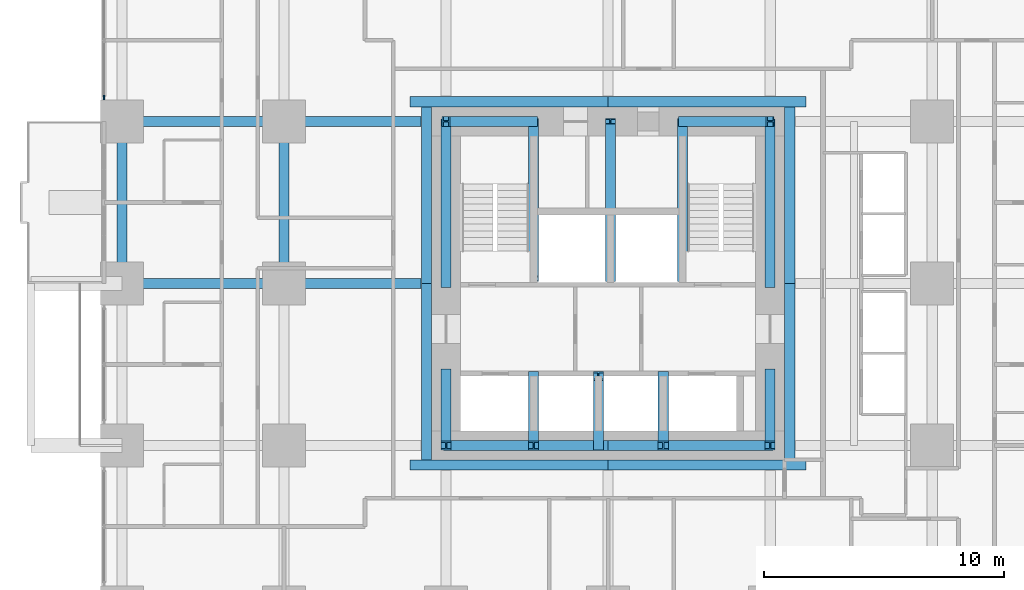
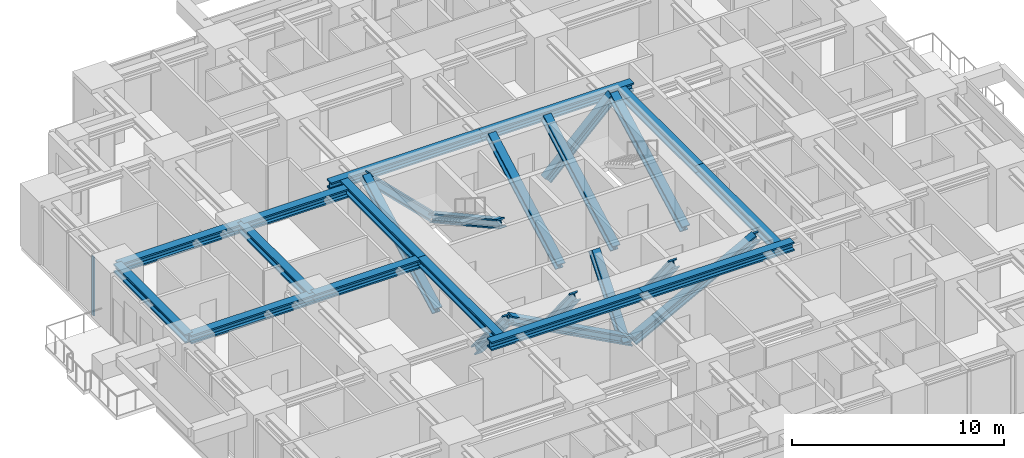
# One storey, part 3 of 14: 15 members, 14 beams, 1 element without a shape of its own.
"""IFC4 building model written with IfcOpenShell, lengths in metres."""

from ifc_helpers import new_model, si_unit, direction, frame, origin, origin_2d, place, context, subcontext, project, spatial, rectangle, i_section, extrude, material, material_profile, profile_set, type_object, element, aggregate, save


model = new_model("IFC4")

# Units and contexts
model_context = context("Model", 3, precision=1e-05, world=origin(), true_north=direction((0.0, 1.0)))
body_context = subcontext(model_context, "Body", "Model", "MODEL_VIEW")
ifc_project = project(units=[si_unit("LENGTHUNIT", "METRE"), si_unit("AREAUNIT", "SQUARE_METRE"), si_unit("VOLUMEUNIT", "CUBIC_METRE"), si_unit("PLANEANGLEUNIT", "RADIAN"), si_unit("MASSUNIT", "GRAM", prefix="KILO")], contexts=[model_context])

# Site, building, storey
site_placement = place(None, origin())
site = spatial("IfcSite", under=ifc_project, at=site_placement, CompositionType="ELEMENT")
building_placement = place(site_placement, origin())
building = spatial("IfcBuilding", under=site, at=building_placement, Name="Nyansa Garden Tower", CompositionType="ELEMENT")
storey_placement = place(building_placement, frame((0.0, 0.0, 64.800048828125)))
storey = spatial("IfcBuildingStorey", under=building, at=storey_placement, Name="L17", CompositionType="ELEMENT", Elevation=64.800048828125)

# Curtain wall, member
ifc_material_1 = material(Name="Black anodised aluminium, dark tinted double glazing", Category="aluminium")
curtain_wall_type = type_object("IfcCurtainWallType", Name="Inner skin curtain wall ISW-A", PredefinedType="USERDEFINED", material=ifc_material_1)
curtain_wall_placement = place(storey_placement, origin())
curtain_wall = element("IfcCurtainWall", 1, at=curtain_wall_placement, inside=storey, type_object=curtain_wall_type, Name="Inner skin curtain wall L17 W", ObjectType="UNITISED CURTAIN WALL", PredefinedType="USERDEFINED")
ifc_material_2 = material(Name="Black anodised aluminium", Category="aluminium")
ifc_material_profile_1 = material_profile(ifc_material_2, rectangle(XDim=0.06494140625, YDim=0.199951171875, at=origin_2d()), Name="Mullion 200x65")
ifc_profile_set_1 = profile_set([ifc_material_profile_1], Name="Black anodised aluminium")
member_type_1 = type_object("IfcMemberType", Name="Mullion ISW-A 200x65", PredefinedType="MULLION", material=ifc_profile_set_1)
member_1_placement = place(storey_placement, frame((-0.75, 28.0, 0.0), z_axis=(0.0, 0.0, 1.0), x_axis=(1.0, 0.0, 0.0)))
member_1 = element("IfcMember", 2, at=member_1_placement, type_object=member_type_1, Name="ISW-A mullion 3", PredefinedType="MULLION", context=body_context, shape_type="SweptSolid", body=[
    extrude(rectangle(XDim=0.06494140625, YDim=0.199951171875, at=origin_2d()), origin(), (0.0, 0.0, 1.0), 3.375),
])
aggregate(curtain_wall, [member_1])

# Members
ifc_material_3 = material(Name="Steel S355", Category="steel")
ifc_material_profile_2 = material_profile(ifc_material_3, i_section(OverallWidth=0.424072265625, OverallDepth=0.47412109375, WebThickness=0.047607421875, FlangeThickness=0.076904296875, FilletRadius=0.014892578125, at=origin_2d()), Name="HD 400x634")
ifc_profile_set_2 = profile_set([ifc_material_profile_2], Name="Steel S355")
member_type_2 = type_object("IfcMemberType", Name="Perimeter brace HD 400x634", PredefinedType="BRACE", material=ifc_profile_set_2)
for number, where, z_axis, x_axis, name in (
    (3, (20.25, 13.5, 0.0), (-0.882360891967, 0.0, 0.470573327259), (0.0, -1.0, 0.0), "Core brace CS1 L17"),
    (4, (20.25, 13.5, 0.0), (0.882360891967, 0.0, 0.470573327259), (0.0, 1.0, 0.0), "Core brace CS2 L17"),
):
    element("IfcMember", number, at=place(storey_placement, frame(where, z_axis=z_axis, x_axis=x_axis)), inside=storey, type_object=member_type_2, Name=name, PredefinedType="BRACE", context=body_context, shape_type="SweptSolid", body=[
        extrude(i_section(OverallWidth=0.424072265625, OverallDepth=0.47412109375, WebThickness=0.047607421875, FlangeThickness=0.076904296875, FilletRadius=0.014892578125, at=origin_2d()), origin(), (0.0, 0.0, 1.0), 7.64990234375),
    ])
for number, where, z_axis, x_axis, name in (
    (5, (17.14990234375, 27.0, 0.0), (-0.711971340796, 0.0, 0.702208523079), (0.0, -1.0, 0.0), "Core brace CN3 L17"),
    (6, (23.35009765625, 27.0, 0.0), (0.711971340796, 0.0, 0.702208523079), (0.0, 1.0, 0.0), "Core brace CN4 L17"),
):
    element("IfcMember", number, at=place(storey_placement, frame(where, z_axis=z_axis, x_axis=x_axis)), inside=storey, type_object=member_type_2, Name=name, PredefinedType="BRACE", context=body_context, shape_type="SweptSolid", body=[
        extrude(i_section(OverallWidth=0.424072265625, OverallDepth=0.47412109375, WebThickness=0.047607421875, FlangeThickness=0.076904296875, FilletRadius=0.014892578125, at=origin_2d()), origin(), (0.0, 0.0, 1.0), 5.12646484375),
    ])
member_2_placement = place(storey_placement, frame((13.5, 16.5, 0.0), z_axis=(0.0, -0.640199773186, 0.768208468069), x_axis=(1.0, 0.0, 0.0)))
element("IfcMember", 7, at=member_2_placement, inside=storey, type_object=member_type_2, Name="Core brace CW5 L17", PredefinedType="BRACE", context=body_context, shape_type="SweptSolid", body=[
    extrude(i_section(OverallWidth=0.424072265625, OverallDepth=0.47412109375, WebThickness=0.047607421875, FlangeThickness=0.076904296875, FilletRadius=0.014892578125, at=origin_2d()), origin(), (0.0, 0.0, 1.0), 4.68603515625),
])
member_3_placement = place(storey_placement, frame((13.5, 20.199951171875, 0.0), z_axis=(0.0, 0.883797178129, 0.467870225524), x_axis=(-1.0, 0.0, 0.0)))
element("IfcMember", 8, at=member_3_placement, inside=storey, type_object=member_type_2, Name="Core brace CW6 L17", PredefinedType="BRACE", context=body_context, shape_type="SweptSolid", body=[
    extrude(i_section(OverallWidth=0.424072265625, OverallDepth=0.47412109375, WebThickness=0.047607421875, FlangeThickness=0.076904296875, FilletRadius=0.014892578125, at=origin_2d()), origin(), (0.0, 0.0, 1.0), 7.694091796875),
])
member_4_placement = place(storey_placement, frame((27.0, 16.5, 0.0), z_axis=(0.0, -0.640199773186, 0.768208468069), x_axis=(1.0, 0.0, 0.0)))
element("IfcMember", 9, at=member_4_placement, inside=storey, type_object=member_type_2, Name="Core brace CE7 L17", PredefinedType="BRACE", context=body_context, shape_type="SweptSolid", body=[
    extrude(i_section(OverallWidth=0.424072265625, OverallDepth=0.47412109375, WebThickness=0.047607421875, FlangeThickness=0.076904296875, FilletRadius=0.014892578125, at=origin_2d()), origin(), (0.0, 0.0, 1.0), 4.68603515625),
])
member_5_placement = place(storey_placement, frame((27.0, 20.199951171875, 0.0), z_axis=(0.0, 0.883797178129, 0.467870225524), x_axis=(-1.0, 0.0, 0.0)))
element("IfcMember", 10, at=member_5_placement, inside=storey, type_object=member_type_2, Name="Core brace CE8 L17", PredefinedType="BRACE", context=body_context, shape_type="SweptSolid", body=[
    extrude(i_section(OverallWidth=0.424072265625, OverallDepth=0.47412109375, WebThickness=0.047607421875, FlangeThickness=0.076904296875, FilletRadius=0.014892578125, at=origin_2d()), origin(), (0.0, 0.0, 1.0), 7.694091796875),
])
for number, where, z_axis, x_axis, name in (
    (11, (17.14990234375, 27.0, 0.0), (0.0, -0.876366901673, 0.481644115143), (1.0, 0.0, 0.0), "Core brace CWS9 L17"),
    (12, (23.35009765625, 20.449951171875, 0.0), (0.0, 0.876366901673, 0.481644115143), (-1.0, 0.0, 0.0), "Core brace CES10 L17"),
):
    element("IfcMember", number, at=place(storey_placement, frame(where, z_axis=z_axis, x_axis=x_axis)), inside=storey, type_object=member_type_2, Name=name, PredefinedType="BRACE", context=body_context, shape_type="SweptSolid", body=[
        extrude(i_section(OverallWidth=0.424072265625, OverallDepth=0.47412109375, WebThickness=0.047607421875, FlangeThickness=0.076904296875, FilletRadius=0.014892578125, at=origin_2d()), origin(), (0.0, 0.0, 1.0), 7.47412109375),
    ])
for number, where, z_axis, x_axis, name in (
    (13, (17.14990234375, 16.39990234375, 0.0), (0.0, -0.627332207022, 0.778751758928), (1.0, 0.0, 0.0), "Core brace CSW11 L17"),
    (14, (19.85009765625, 13.5, 0.0), (0.0, 0.627332207022, 0.778751758928), (-1.0, 0.0, 0.0), "Core brace CSW12 L17"),
    (15, (22.550048828125, 16.39990234375, 0.0), (0.0, -0.627332207022, 0.778751758928), (1.0, 0.0, 0.0), "Core brace CSW13 L17"),
):
    element("IfcMember", number, at=place(storey_placement, frame(where, z_axis=z_axis, x_axis=x_axis)), inside=storey, type_object=member_type_2, Name=name, PredefinedType="BRACE", context=body_context, shape_type="SweptSolid", body=[
        extrude(i_section(OverallWidth=0.424072265625, OverallDepth=0.47412109375, WebThickness=0.047607421875, FlangeThickness=0.076904296875, FilletRadius=0.014892578125, at=origin_2d()), origin(), (0.0, 0.0, 1.0), 4.62255859375),
    ])
member_6_placement = place(storey_placement, frame((20.35009765625, 20.449951171875, 0.0), z_axis=(0.0, 0.876366901673, 0.481644115143), x_axis=(-1.0, 0.0, 0.0)))
element("IfcMember", 16, at=member_6_placement, inside=storey, type_object=member_type_2, Name="Core brace CNW14 L17", PredefinedType="BRACE", context=body_context, shape_type="SweptSolid", body=[
    extrude(i_section(OverallWidth=0.424072265625, OverallDepth=0.47412109375, WebThickness=0.047607421875, FlangeThickness=0.076904296875, FilletRadius=0.014892578125, at=origin_2d()), origin(), (0.0, 0.0, 1.0), 7.47412109375),
])

# Beams
ifc_material_4 = material(Name="Steel S355", Category="steel")
ifc_material_profile_3 = material_profile(ifc_material_4, i_section(OverallWidth=0.431884765625, OverallDepth=0.498046875, WebThickness=0.0556640625, FlangeThickness=0.0888671875, FilletRadius=0.014892578125, at=origin_2d()), Name="HD 400x744")
ifc_profile_set_3 = profile_set([ifc_material_profile_3], Name="Steel S355")
beam_type_1 = type_object("IfcBeamType", Name="Steel beam SBA1-744 HD 400x744", PredefinedType="BEAM", material=ifc_profile_set_3)
for number, where, z_axis, x_axis, name in (
    (17, (0.0, 20.25, 3.1259765625), (1.0, 0.0, 0.0), (0.0, 1.0, 0.0), "Steel beam 2/G-3/G L18"),
    (18, (0.0, 27.0, 3.1259765625), (1.0, 0.0, 0.0), (0.0, 1.0, 0.0), "Steel beam 2/H-3/H L18"),
    (19, (6.75, 20.25, 3.1259765625), (0.0, 1.0, 0.0), (-1.0, 0.0, 0.0), "Steel beam 3/G-3/H L18"),
):
    element("IfcBeam", number, at=place(storey_placement, frame(where, z_axis=z_axis, x_axis=x_axis)), inside=storey, type_object=beam_type_1, Name=name, PredefinedType="BEAM", context=body_context, shape_type="SweptSolid", body=[
        extrude(i_section(OverallWidth=0.431884765625, OverallDepth=0.498046875, WebThickness=0.0556640625, FlangeThickness=0.0888671875, FilletRadius=0.014892578125, at=origin_2d()), origin(), (0.0, 0.0, 1.0), 6.75),
    ])
for number, where, z_axis, x_axis, name in (
    (20, (6.75, 20.25, 3.1259765625), (1.0, 0.0, 0.0), (0.0, 1.0, 0.0), "Steel beam 3/G-12.450/G L18"),
    (21, (6.75, 27.0, 3.1259765625), (1.0, 0.0, 0.0), (0.0, 1.0, 0.0), "Steel beam 3/H-12.450/H L18"),
):
    element("IfcBeam", number, at=place(storey_placement, frame(where, z_axis=z_axis, x_axis=x_axis)), inside=storey, type_object=beam_type_1, Name=name, PredefinedType="BEAM", context=body_context, shape_type="SweptSolid", body=[
        extrude(i_section(OverallWidth=0.431884765625, OverallDepth=0.498046875, WebThickness=0.0556640625, FlangeThickness=0.0888671875, FilletRadius=0.014892578125, at=origin_2d()), origin(), (0.0, 0.0, 1.0), 5.699951171875),
    ])
ifc_material_5 = material(Name="Steel S355", Category="steel")
ifc_material_profile_4 = material_profile(ifc_material_5, i_section(OverallWidth=0.431884765625, OverallDepth=0.498046875, WebThickness=0.0556640625, FlangeThickness=0.0888671875, FilletRadius=0.014892578125, at=origin_2d()), Name="HD 400x744")
ifc_profile_set_4 = profile_set([ifc_material_profile_4], Name="Steel S355")
beam_type_2 = type_object("IfcBeamType", Name="Steel beam SEBA-744 HD 400x744", PredefinedType="BEAM", material=ifc_profile_set_4)
beam_placement = place(storey_placement, frame((0.0, 20.25, 3.1259765625), z_axis=(0.0, 1.0, 0.0), x_axis=(-1.0, 0.0, 0.0)))
element("IfcBeam", 22, at=beam_placement, inside=storey, type_object=beam_type_2, Name="Steel edge beam 2/G-2/H L18", PredefinedType="BEAM", context=body_context, shape_type="SweptSolid", body=[
    extrude(i_section(OverallWidth=0.431884765625, OverallDepth=0.498046875, WebThickness=0.0556640625, FlangeThickness=0.0888671875, FilletRadius=0.014892578125, at=origin_2d()), origin(), (0.0, 0.0, 1.0), 6.75),
])
ifc_material_6 = material(Name="Steel S355", Category="steel")
ifc_material_profile_5 = material_profile(ifc_material_6, i_section(OverallWidth=0.431884765625, OverallDepth=0.498046875, WebThickness=0.0556640625, FlangeThickness=0.0888671875, FilletRadius=0.014892578125, at=origin_2d()), Name="HD 400x744")
ifc_profile_set_5 = profile_set([ifc_material_profile_5], Name="Steel S355")
beam_type_3 = type_object("IfcBeamType", Name="Steel beam SLB1-744 HD 400x744", PredefinedType="BEAM", material=ifc_profile_set_5)
for number, where, z_axis, x_axis, name in (
    (23, (12.0, 12.68408203125, 3.1259765625), (1.0, 0.0, 0.0), (0.0, 1.0, 0.0), "Steel core ledger beam S.1 L18"),
    (24, (20.25, 12.68408203125, 3.1259765625), (1.0, 0.0, 0.0), (0.0, 1.0, 0.0), "Steel core ledger beam S.2 L18"),
):
    element("IfcBeam", number, at=place(storey_placement, frame(where, z_axis=z_axis, x_axis=x_axis)), inside=storey, type_object=beam_type_3, Name=name, PredefinedType="BEAM", context=body_context, shape_type="SweptSolid", body=[
        extrude(i_section(OverallWidth=0.431884765625, OverallDepth=0.498046875, WebThickness=0.0556640625, FlangeThickness=0.0888671875, FilletRadius=0.014892578125, at=origin_2d()), origin(), (0.0, 0.0, 1.0), 8.25),
    ])
for number, where, z_axis, x_axis, name in (
    (25, (27.81591796875, 12.89990234375, 3.1259765625), (0.0, 1.0, 0.0), (-1.0, 0.0, 0.0), "Steel core ledger beam E.1 L18"),
    (26, (27.81591796875, 20.25, 3.1259765625), (0.0, 1.0, 0.0), (-1.0, 0.0, 0.0), "Steel core ledger beam E.2 L18"),
):
    element("IfcBeam", number, at=place(storey_placement, frame(where, z_axis=z_axis, x_axis=x_axis)), inside=storey, type_object=beam_type_3, Name=name, PredefinedType="BEAM", context=body_context, shape_type="SweptSolid", body=[
        extrude(i_section(OverallWidth=0.431884765625, OverallDepth=0.498046875, WebThickness=0.0556640625, FlangeThickness=0.0888671875, FilletRadius=0.014892578125, at=origin_2d()), origin(), (0.0, 0.0, 1.0), 7.35009765625),
    ])
for number, where, z_axis, x_axis, name in (
    (27, (28.5, 27.81591796875, 3.1259765625), (-1.0, 0.0, 0.0), (0.0, -1.0, 0.0), "Steel core ledger beam N.1 L18"),
    (28, (20.25, 27.81591796875, 3.1259765625), (-1.0, 0.0, 0.0), (0.0, -1.0, 0.0), "Steel core ledger beam N.2 L18"),
):
    element("IfcBeam", number, at=place(storey_placement, frame(where, z_axis=z_axis, x_axis=x_axis)), inside=storey, type_object=beam_type_3, Name=name, PredefinedType="BEAM", context=body_context, shape_type="SweptSolid", body=[
        extrude(i_section(OverallWidth=0.431884765625, OverallDepth=0.498046875, WebThickness=0.0556640625, FlangeThickness=0.0888671875, FilletRadius=0.014892578125, at=origin_2d()), origin(), (0.0, 0.0, 1.0), 8.25),
    ])
for number, where, z_axis, x_axis, name in (
    (29, (12.68408203125, 27.60009765625, 3.1259765625), (0.0, -1.0, 0.0), (1.0, 0.0, 0.0), "Steel core ledger beam W.1 L18"),
    (30, (12.68408203125, 20.25, 3.1259765625), (0.0, -1.0, 0.0), (1.0, 0.0, 0.0), "Steel core ledger beam W.2 L18"),
):
    element("IfcBeam", number, at=place(storey_placement, frame(where, z_axis=z_axis, x_axis=x_axis)), inside=storey, type_object=beam_type_3, Name=name, PredefinedType="BEAM", context=body_context, shape_type="SweptSolid", body=[
        extrude(i_section(OverallWidth=0.431884765625, OverallDepth=0.498046875, WebThickness=0.0556640625, FlangeThickness=0.0888671875, FilletRadius=0.014892578125, at=origin_2d()), origin(), (0.0, 0.0, 1.0), 7.35009765625),
    ])

save(model, "model.ifc")
